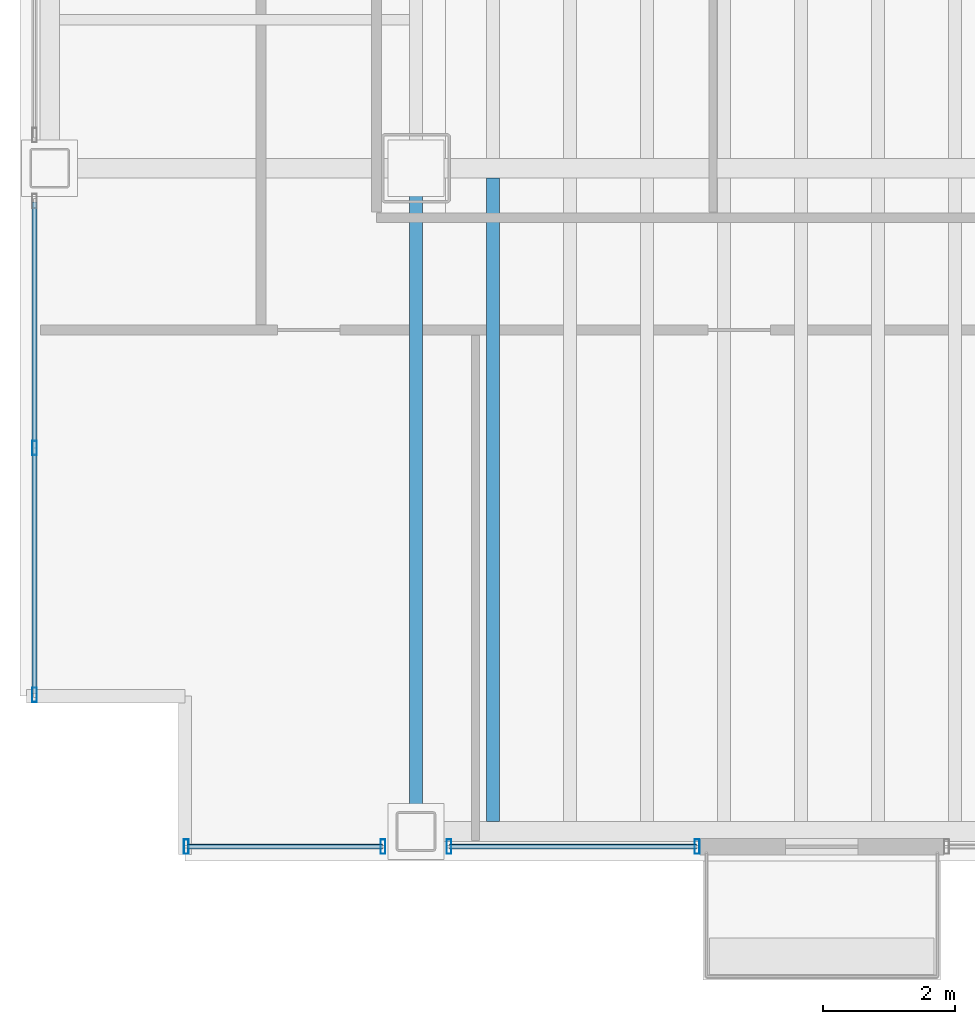
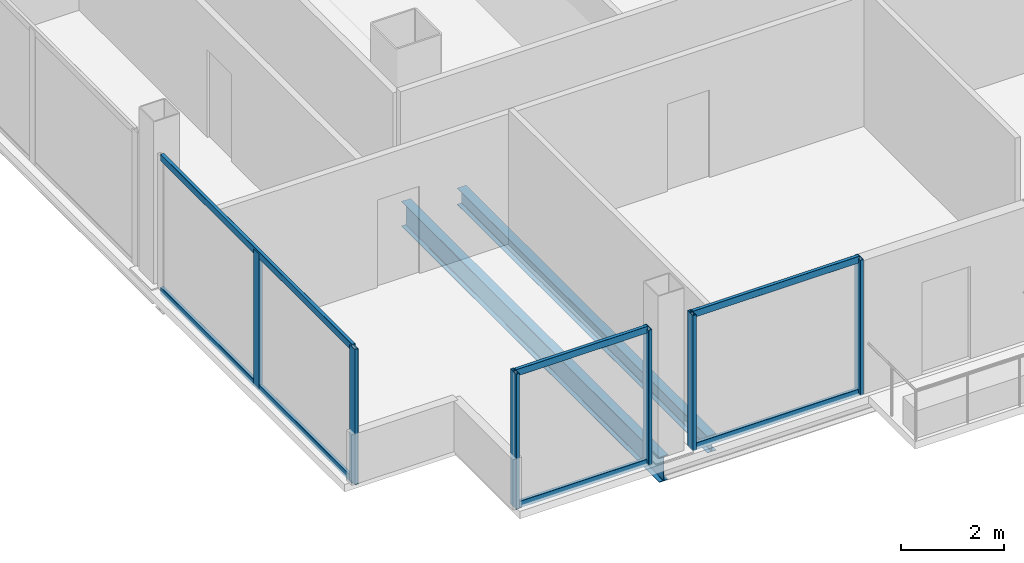
# One storey, part 2 of 21: 12 members, 2 beams, 3 elements without a shape of their own.
"""IFC4 building model written with IfcOpenShell, lengths in metres."""

from ifc_helpers import new_model, si_unit, direction, frame, origin, origin_2d, place, context, subcontext, project, spatial, hollow_rectangle, i_section, extrude, material, material_profile, profile_set, type_object, element, aggregate, save


model = new_model("IFC4")

# Units and contexts
model_context = context("Model", 3, precision=1e-05, world=origin(), true_north=direction((0.0, 1.0)))
body_context = subcontext(model_context, "Body", "Model", "MODEL_VIEW")
ifc_project = project(units=[si_unit("LENGTHUNIT", "METRE"), si_unit("AREAUNIT", "SQUARE_METRE"), si_unit("VOLUMEUNIT", "CUBIC_METRE"), si_unit("PLANEANGLEUNIT", "RADIAN"), si_unit("MASSUNIT", "GRAM", prefix="KILO")], contexts=[model_context])

# Site, building, storey
site_placement = place(None, origin())
site = spatial("IfcSite", under=ifc_project, at=site_placement, CompositionType="ELEMENT")
building_placement = place(site_placement, origin())
building = spatial("IfcBuilding", under=site, at=building_placement, Name="Noeulbin Bourse Tower", CompositionType="ELEMENT")
storey_placement = place(building_placement, frame((0.0, 0.0, 92.800048828125)))
storey = spatial("IfcBuildingStorey", under=building, at=storey_placement, Name="L23", CompositionType="ELEMENT", Elevation=92.800048828125)

# Beams
ifc_material_1 = material(Name="Steel S355", Category="steel")
ifc_material_profile_1 = material_profile(ifc_material_1, i_section(OverallWidth=0.199951171875, OverallDepth=0.60009765625, WebThickness=0.010986328125, FlangeThickness=0.01708984375, FilletRadius=0.02197265625, at=origin_2d()), Name="H-600x200x11x17", Category="LoadBearing")
ifc_profile_set_1 = profile_set([ifc_material_profile_1], Name="Steel S355")
beam_type_1 = type_object("IfcBeamType", Name="BM-GRD-600", PredefinedType="USERDEFINED", material=ifc_profile_set_1)
beam_1_placement = place(storey_placement, frame((13.5, 9.949951171875, -0.47998046875), z_axis=(0.0, 1.0, 0.0), x_axis=(-1.0, 0.0, 0.0)))
element("IfcBeam", 1, at=beam_1_placement, inside=storey, type_object=beam_type_1, Name="Tower Primary Girder NS L23-1.1", ObjectType="GIRDER", PredefinedType="USERDEFINED", context=body_context, shape_type="SweptSolid", body=[
    extrude(i_section(OverallWidth=0.199951171875, OverallDepth=0.60009765625, WebThickness=0.010986328125, FlangeThickness=0.01708984375, FilletRadius=0.02197265625, at=origin_2d()), origin(), (0.0, 0.0, 1.0), 10.050048828125),
])
ifc_material_profile_2 = material_profile(ifc_material_1, i_section(OverallWidth=0.199951171875, OverallDepth=0.39990234375, WebThickness=0.008056640625, FlangeThickness=0.012939453125, FilletRadius=0.01611328125, at=origin_2d()), Name="H-400x200x8x13", Category="LoadBearing")
ifc_profile_set_2 = profile_set([ifc_material_profile_2], Name="Steel S355")
beam_type_2 = type_object("IfcBeamType", Name="BM-SEC-400", PredefinedType="BEAM", material=ifc_profile_set_2)
beam_2_placement = place(storey_placement, frame((14.666748046875, 10.10009765625, -0.380126953125), z_axis=(0.0, 1.0, 0.0), x_axis=(-1.0, 0.0, 0.0)))
element("IfcBeam", 2, at=beam_2_placement, inside=storey, type_object=beam_type_2, Name="Tower Composite Joist L23-01", PredefinedType="BEAM", context=body_context, shape_type="SweptSolid", body=[
    extrude(i_section(OverallWidth=0.199951171875, OverallDepth=0.39990234375, WebThickness=0.008056640625, FlangeThickness=0.012939453125, FilletRadius=0.01611328125, at=origin_2d()), origin(), (0.0, 0.0, 1.0), 9.75),
])

# Curtain wall, members
ifc_material_2 = material(Name="Dark Solar-Control Double Glazing", Category="glass")
curtain_wall_type = type_object("IfcCurtainWallType", Name="CW-SYS-2", PredefinedType="NOTDEFINED", material=ifc_material_2)
curtain_wall_1_placement = place(storey_placement, origin())
curtain_wall_1 = element("IfcCurtainWall", 3, at=curtain_wall_1_placement, inside=storey, type_object=curtain_wall_type, Name="Unitised Curtain Wall CW-L23-S1-S1", PredefinedType="NOTDEFINED")
ifc_material_3 = material(Name="Anodised Aluminium 6063-T6", Category="aluminium")
ifc_material_profile_3 = material_profile(ifc_material_3, hollow_rectangle(XDim=0.074951171875, YDim=0.219970703125, WallThickness=0.0048828125, InnerFilletRadius=0.00244140625, OuterFilletRadius=0.0048828125, at=origin_2d()), Name="ALU-MULL-75x220x5", Category="LoadBearing")
ifc_profile_set_3 = profile_set([ifc_material_profile_3], Name="Anodised Aluminium 6063-T6")
member_type_1 = type_object("IfcMemberType", Name="CW-SYS-2-MUL", PredefinedType="MULLION", material=ifc_profile_set_3)
member_1_placement = place(storey_placement, frame((10.02001953125, 9.719970703125, -0.02001953125), z_axis=(0.0, 0.0, 1.0), x_axis=(1.0, 0.0, 0.0)))
member_1 = element("IfcMember", 4, at=member_1_placement, type_object=member_type_1, Name="Curtain Wall Mullion CW-L23-S1-S1-M00", PredefinedType="MULLION", context=body_context, shape_type="SweptSolid", body=[
    extrude(hollow_rectangle(XDim=0.074951171875, YDim=0.219970703125, WallThickness=0.0048828125, InnerFilletRadius=0.00244140625, OuterFilletRadius=0.0048828125, at=origin_2d()), origin(), (0.0, 0.0, 1.0), 3.219970703125),
])
member_2_placement = place(storey_placement, frame((13.0, 9.719970703125, -0.02001953125), z_axis=(0.0, 0.0, 1.0), x_axis=(1.0, 0.0, 0.0)))
member_2 = element("IfcMember", 5, at=member_2_placement, type_object=member_type_1, Name="Curtain Wall Mullion CW-L23-S1-S1-M01", PredefinedType="MULLION", context=body_context, shape_type="SweptSolid", body=[
    extrude(hollow_rectangle(XDim=0.074951171875, YDim=0.219970703125, WallThickness=0.0048828125, InnerFilletRadius=0.00244140625, OuterFilletRadius=0.0048828125, at=origin_2d()), origin(), (0.0, 0.0, 1.0), 3.219970703125),
])

curtain_wall_2_placement = place(storey_placement, origin())
curtain_wall_2 = element("IfcCurtainWall", 6, at=curtain_wall_2_placement, inside=storey, type_object=curtain_wall_type, Name="Unitised Curtain Wall CW-L23-S1-S2", PredefinedType="NOTDEFINED")
member_3_placement = place(storey_placement, frame((14.0, 9.719970703125, -0.02001953125), z_axis=(0.0, 0.0, 1.0), x_axis=(1.0, 0.0, 0.0)))
member_3 = element("IfcMember", 7, at=member_3_placement, type_object=member_type_1, Name="Curtain Wall Mullion CW-L23-S1-S2-M00", PredefinedType="MULLION", context=body_context, shape_type="SweptSolid", body=[
    extrude(hollow_rectangle(XDim=0.074951171875, YDim=0.219970703125, WallThickness=0.0048828125, InnerFilletRadius=0.00244140625, OuterFilletRadius=0.0048828125, at=origin_2d()), origin(), (0.0, 0.0, 1.0), 3.219970703125),
])
member_4_placement = place(storey_placement, frame((17.760009765625, 9.719970703125, -0.02001953125), z_axis=(0.0, 0.0, 1.0), x_axis=(1.0, 0.0, 0.0)))
member_4 = element("IfcMember", 8, at=member_4_placement, type_object=member_type_1, Name="Curtain Wall Mullion CW-L23-S1-S2-M01", PredefinedType="MULLION", context=body_context, shape_type="SweptSolid", body=[
    extrude(hollow_rectangle(XDim=0.074951171875, YDim=0.219970703125, WallThickness=0.0048828125, InnerFilletRadius=0.00244140625, OuterFilletRadius=0.0048828125, at=origin_2d()), origin(), (0.0, 0.0, 1.0), 3.219970703125),
])

curtain_wall_3_placement = place(storey_placement, origin())
curtain_wall_3 = element("IfcCurtainWall", 9, at=curtain_wall_3_placement, inside=storey, type_object=curtain_wall_type, Name="Unitised Curtain Wall CW-L23-W-S1", PredefinedType="NOTDEFINED")
member_5_placement = place(storey_placement, frame((7.719970703125, 12.02001953125, -0.02001953125), z_axis=(0.0, 0.0, 1.0), x_axis=(1.0, 0.0, 0.0)))
member_5 = element("IfcMember", 10, at=member_5_placement, type_object=member_type_1, Name="Curtain Wall Mullion CW-L23-W-S1-M00", PredefinedType="MULLION", context=body_context, shape_type="SweptSolid", body=[
    extrude(hollow_rectangle(XDim=0.074951171875, YDim=0.219970703125, WallThickness=0.0048828125, InnerFilletRadius=0.00244140625, OuterFilletRadius=0.0048828125, at=origin_2d()), origin(), (0.0, 0.0, 1.0), 3.219970703125),
])
member_6_placement = place(storey_placement, frame((7.719970703125, 15.760009765625, -0.02001953125), z_axis=(0.0, 0.0, 1.0), x_axis=(1.0, 0.0, 0.0)))
member_6 = element("IfcMember", 11, at=member_6_placement, type_object=member_type_1, Name="Curtain Wall Mullion CW-L23-W-S1-M01", PredefinedType="MULLION", context=body_context, shape_type="SweptSolid", body=[
    extrude(hollow_rectangle(XDim=0.074951171875, YDim=0.219970703125, WallThickness=0.0048828125, InnerFilletRadius=0.00244140625, OuterFilletRadius=0.0048828125, at=origin_2d()), origin(), (0.0, 0.0, 1.0), 3.219970703125),
])

# Member
ifc_material_profile_4 = material_profile(ifc_material_3, hollow_rectangle(XDim=0.074951171875, YDim=0.159912109375, WallThickness=0.0048828125, InnerFilletRadius=0.00244140625, OuterFilletRadius=0.0048828125, at=origin_2d()), Name="ALU-TRAN-75x160x5", Category="LoadBearing")
ifc_profile_set_4 = profile_set([ifc_material_profile_4], Name="Anodised Aluminium 6063-T6")
member_type_2 = type_object("IfcMemberType", Name="CW-SYS-2-TRN", PredefinedType="USERDEFINED", material=ifc_profile_set_4)
member_7_placement = place(storey_placement, frame((10.030029296875, 9.719970703125, 0.010009765625), z_axis=(1.0, 0.0, 0.0), x_axis=(0.0, 1.0, 0.0)))
member_7 = element("IfcMember", 12, at=member_7_placement, type_object=member_type_2, Name="Curtain Wall Transom CW-L23-S1-S1-T00", ObjectType="TRANSOM", PredefinedType="USERDEFINED", context=body_context, shape_type="SweptSolid", body=[
    extrude(hollow_rectangle(XDim=0.074951171875, YDim=0.159912109375, WallThickness=0.0048828125, InnerFilletRadius=0.00244140625, OuterFilletRadius=0.0048828125, at=origin_2d()), origin(), (0.0, 0.0, 1.0), 2.9599609375),
])

member_8_placement = place(storey_placement, frame((10.030029296875, 9.719970703125, 3.169921875), z_axis=(1.0, 0.0, 0.0), x_axis=(0.0, 1.0, 0.0)))
member_8 = element("IfcMember", 13, at=member_8_placement, type_object=member_type_2, Name="Curtain Wall Transom CW-L23-S1-S1-T01", ObjectType="TRANSOM", PredefinedType="USERDEFINED", context=body_context, shape_type="SweptSolid", body=[
    extrude(hollow_rectangle(XDim=0.074951171875, YDim=0.159912109375, WallThickness=0.0048828125, InnerFilletRadius=0.00244140625, OuterFilletRadius=0.0048828125, at=origin_2d()), origin(), (0.0, 0.0, 1.0), 2.9599609375),
])

aggregate(curtain_wall_1, [member_1, member_2, member_7, member_8])

member_9_placement = place(storey_placement, frame((14.010009765625, 9.719970703125, 0.010009765625), z_axis=(1.0, 0.0, 0.0), x_axis=(0.0, 1.0, 0.0)))
member_9 = element("IfcMember", 14, at=member_9_placement, type_object=member_type_2, Name="Curtain Wall Transom CW-L23-S1-S2-T00", ObjectType="TRANSOM", PredefinedType="USERDEFINED", context=body_context, shape_type="SweptSolid", body=[
    extrude(hollow_rectangle(XDim=0.074951171875, YDim=0.159912109375, WallThickness=0.0048828125, InnerFilletRadius=0.00244140625, OuterFilletRadius=0.0048828125, at=origin_2d()), origin(), (0.0, 0.0, 1.0), 3.739990234375),
])

member_10_placement = place(storey_placement, frame((14.010009765625, 9.719970703125, 3.169921875), z_axis=(1.0, 0.0, 0.0), x_axis=(0.0, 1.0, 0.0)))
member_10 = element("IfcMember", 15, at=member_10_placement, type_object=member_type_2, Name="Curtain Wall Transom CW-L23-S1-S2-T01", ObjectType="TRANSOM", PredefinedType="USERDEFINED", context=body_context, shape_type="SweptSolid", body=[
    extrude(hollow_rectangle(XDim=0.074951171875, YDim=0.159912109375, WallThickness=0.0048828125, InnerFilletRadius=0.00244140625, OuterFilletRadius=0.0048828125, at=origin_2d()), origin(), (0.0, 0.0, 1.0), 3.739990234375),
])

aggregate(curtain_wall_2, [member_3, member_4, member_9, member_10])

member_11_placement = place(storey_placement, frame((7.719970703125, 12.030029296875, 0.010009765625), z_axis=(0.0, 1.0, 0.0), x_axis=(-1.0, 0.0, 0.0)))
member_11 = element("IfcMember", 16, at=member_11_placement, type_object=member_type_2, Name="Curtain Wall Transom CW-L23-W-S1-T00", ObjectType="TRANSOM", PredefinedType="USERDEFINED", context=body_context, shape_type="SweptSolid", body=[
    extrude(hollow_rectangle(XDim=0.074951171875, YDim=0.159912109375, WallThickness=0.0048828125, InnerFilletRadius=0.00244140625, OuterFilletRadius=0.0048828125, at=origin_2d()), origin(), (0.0, 0.0, 1.0), 7.4599609375),
])

member_12_placement = place(storey_placement, frame((7.719970703125, 12.030029296875, 3.169921875), z_axis=(0.0, 1.0, 0.0), x_axis=(-1.0, 0.0, 0.0)))
member_12 = element("IfcMember", 17, at=member_12_placement, type_object=member_type_2, Name="Curtain Wall Transom CW-L23-W-S1-T01", ObjectType="TRANSOM", PredefinedType="USERDEFINED", context=body_context, shape_type="SweptSolid", body=[
    extrude(hollow_rectangle(XDim=0.074951171875, YDim=0.159912109375, WallThickness=0.0048828125, InnerFilletRadius=0.00244140625, OuterFilletRadius=0.0048828125, at=origin_2d()), origin(), (0.0, 0.0, 1.0), 7.4599609375),
])

aggregate(curtain_wall_3, [member_5, member_6, member_11, member_12])

save(model, "model.ifc")
